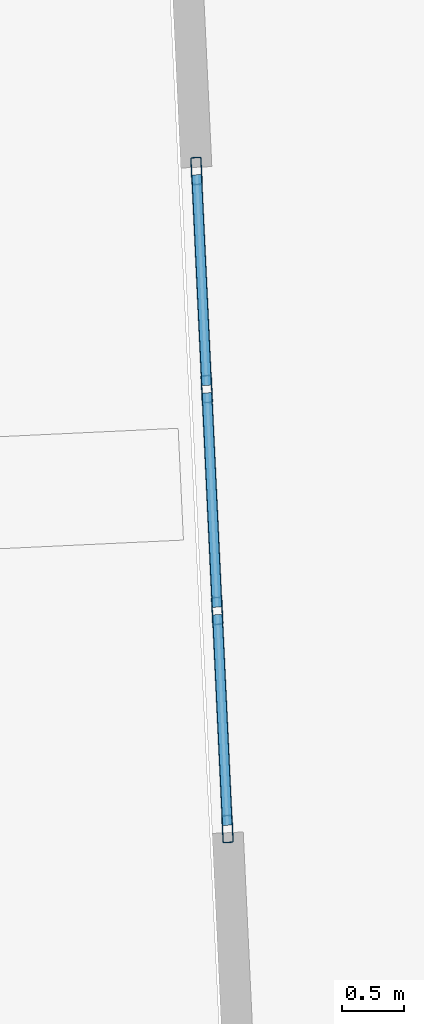
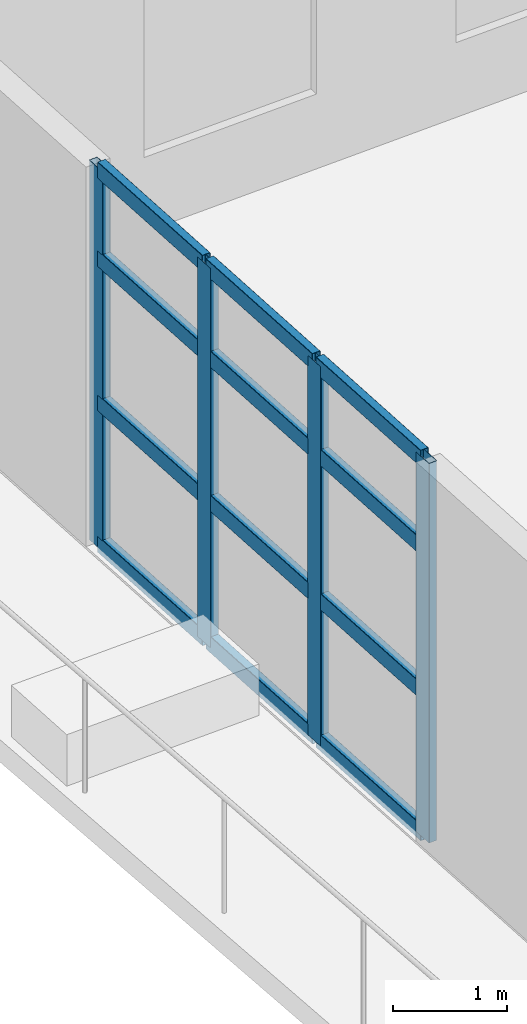
# One storey, part 3 of 22: 16 members, 1 element without a shape of its own.
"""IFC4 building model written with IfcOpenShell, lengths in metres."""

from ifc_helpers import new_model, si_unit, direction, frame, origin, origin_2d, place, context, subcontext, project, spatial, hollow_rectangle, extrude, material, layer, layer_set, material_profile, profile_set, type_object, element, aggregate, save


model = new_model("IFC4")

# Units and contexts
model_context = context("Model", 3, precision=1e-05, world=origin(), true_north=direction((0.0, 1.0)))
body_context = subcontext(model_context, "Body", "Model", "MODEL_VIEW")
ifc_project = project(units=[si_unit("LENGTHUNIT", "METRE"), si_unit("AREAUNIT", "SQUARE_METRE"), si_unit("VOLUMEUNIT", "CUBIC_METRE"), si_unit("PLANEANGLEUNIT", "RADIAN"), si_unit("MASSUNIT", "GRAM", prefix="KILO")], contexts=[model_context])

# Site, building, storey
site_placement = place(None, origin())
site = spatial("IfcSite", under=ifc_project, at=site_placement, CompositionType="ELEMENT")
building_placement = place(site_placement, origin())
building = spatial("IfcBuilding", under=site, at=building_placement, Name="Qingluan Cross Belvedere", CompositionType="ELEMENT")
storey_placement = place(building_placement, frame((0.0, 0.0, 294.0)))
storey = spatial("IfcBuildingStorey", under=building, at=storey_placement, Name="L73", CompositionType="ELEMENT", Elevation=294.0)

# Curtain wall, members
ifc_material_1 = material(Name="Thermally broken aluminium and Low-E glass", Category="aluminium")
ifc_layer = layer(ifc_material_1, 0.179931640625, Name="ObservationCW_DamperGallery")
ifc_layer_set = layer_set([ifc_layer], Name="Thermally broken aluminium and Low-E glass")
curtain_wall_type = type_object("IfcCurtainWallType", Name="ObservationCW_DamperGallery", PredefinedType="USERDEFINED", material=ifc_layer_set)
curtain_wall_placement = place(storey_placement, origin())
curtain_wall = element("IfcCurtainWall", 1, at=curtain_wall_placement, inside=storey, type_object=curtain_wall_type, Name="ObservationCW_DamperGallery run env:cw:L73:W", ObjectType="OBSERVATION GLAZING WALL", PredefinedType="USERDEFINED")
ifc_material_2 = material(Name="Aluminium alloy 6063-T6", Category="aluminium")
ifc_material_profile_1 = material_profile(ifc_material_2, hollow_rectangle(XDim=0.0849609375, YDim=0.219970703125, WallThickness=0.0048828125, InnerFilletRadius=0.0048828125, OuterFilletRadius=0.010009765625, at=origin_2d()), Name="CWM220x85x5")
ifc_profile_set_1 = profile_set([ifc_material_profile_1], Name="Aluminium alloy 6063-T6")
member_type_1 = type_object("IfcMemberType", Name="CWMullion_220", PredefinedType="MULLION", material=ifc_profile_set_1)
member_1_placement = place(storey_placement, frame((-27.674072265625, 1.345947265625, 0.0), z_axis=(0.0, 0.0, 1.0), x_axis=(0.998888992693, 0.047125155464, 0.0)))
member_1 = element("IfcMember", 2, at=member_1_placement, type_object=member_type_1, Name="CW-C1 mullion 1", PredefinedType="MULLION", context=body_context, shape_type="SweptSolid", body=[
    extrude(hollow_rectangle(XDim=0.0849609375, YDim=0.219970703125, WallThickness=0.0048828125, InnerFilletRadius=0.0048828125, OuterFilletRadius=0.010009765625, at=origin_2d()), origin(), (0.0, 0.0, 1.0), 4.06005859375),
])
member_2_placement = place(storey_placement, frame((-27.591552734375, -0.407470703125, 0.0), z_axis=(0.0, 0.0, 1.0), x_axis=(0.998888992693, 0.047125155464, 0.0)))
member_2 = element("IfcMember", 3, at=member_2_placement, type_object=member_type_1, Name="CW-C1 mullion 2", PredefinedType="MULLION", context=body_context, shape_type="SweptSolid", body=[
    extrude(hollow_rectangle(XDim=0.0849609375, YDim=0.219970703125, WallThickness=0.0048828125, InnerFilletRadius=0.0048828125, OuterFilletRadius=0.010009765625, at=origin_2d()), origin(), (0.0, 0.0, 1.0), 4.06005859375),
])
member_3_placement = place(storey_placement, frame((-27.50732421875, -2.19091796875, 0.0), z_axis=(0.0, 0.0, 1.0), x_axis=(0.998888992693, 0.047125155464, 0.0)))
member_3 = element("IfcMember", 4, at=member_3_placement, type_object=member_type_1, Name="CW-C1 mullion 3", PredefinedType="MULLION", context=body_context, shape_type="SweptSolid", body=[
    extrude(hollow_rectangle(XDim=0.0849609375, YDim=0.219970703125, WallThickness=0.0048828125, InnerFilletRadius=0.0048828125, OuterFilletRadius=0.010009765625, at=origin_2d()), origin(), (0.0, 0.0, 1.0), 4.06005859375),
])
member_4_placement = place(storey_placement, frame((-27.424560546875, -3.9443359375, 0.0), z_axis=(0.0, 0.0, 1.0), x_axis=(0.998888992693, 0.047125155464, 0.0)))
member_4 = element("IfcMember", 5, at=member_4_placement, type_object=member_type_1, Name="CW-C1 mullion 4", PredefinedType="MULLION", context=body_context, shape_type="SweptSolid", body=[
    extrude(hollow_rectangle(XDim=0.0849609375, YDim=0.219970703125, WallThickness=0.0048828125, InnerFilletRadius=0.0048828125, OuterFilletRadius=0.010009765625, at=origin_2d()), origin(), (0.0, 0.0, 1.0), 4.06005859375),
])
ifc_material_3 = material(Name="Aluminium alloy 6063-T6", Category="aluminium")
ifc_material_profile_2 = material_profile(ifc_material_3, hollow_rectangle(XDim=0.0849609375, YDim=0.179931640625, WallThickness=0.00390625, InnerFilletRadius=0.00390625, OuterFilletRadius=0.008056640625, at=origin_2d()), Name="CWT180x85x4")
ifc_profile_set_2 = profile_set([ifc_material_profile_2], Name="Aluminium alloy 6063-T6")
member_type_2 = type_object("IfcMemberType", Name="CWTransom_180", PredefinedType="USERDEFINED", material=ifc_profile_set_2)
member_5_placement = place(storey_placement, frame((-27.6728515625, 1.31591796875, 0.030029296875), z_axis=(0.047229921669, -0.998884044571, 0.0), x_axis=(0.998884044571, 0.047229921669, 0.0)))
member_5 = element("IfcMember", 6, at=member_5_placement, type_object=member_type_2, Name="CW-C1 transom 1.1", ObjectType="TRANSOM", PredefinedType="USERDEFINED", context=body_context, shape_type="SweptSolid", body=[
    extrude(hollow_rectangle(XDim=0.0849609375, YDim=0.179931640625, WallThickness=0.00390625, InnerFilletRadius=0.00390625, OuterFilletRadius=0.008056640625, at=origin_2d()), origin(), (0.0, 0.0, 1.0), 1.695556640625),
])
member_6_placement = place(storey_placement, frame((-27.6728515625, 1.31591796875, 1.54296875), z_axis=(0.047229921669, -0.998884044571, 0.0), x_axis=(0.998884044571, 0.047229921669, 0.0)))
member_6 = element("IfcMember", 7, at=member_6_placement, type_object=member_type_2, Name="CW-C1 transom 1.2", ObjectType="TRANSOM", PredefinedType="USERDEFINED", context=body_context, shape_type="SweptSolid", body=[
    extrude(hollow_rectangle(XDim=0.0849609375, YDim=0.179931640625, WallThickness=0.00390625, InnerFilletRadius=0.00390625, OuterFilletRadius=0.008056640625, at=origin_2d()), origin(), (0.0, 0.0, 1.0), 1.695556640625),
])
member_7_placement = place(storey_placement, frame((-27.6728515625, 1.31591796875, 3.0859375), z_axis=(0.047229921669, -0.998884044571, 0.0), x_axis=(0.998884044571, 0.047229921669, 0.0)))
member_7 = element("IfcMember", 8, at=member_7_placement, type_object=member_type_2, Name="CW-C1 transom 1.3", ObjectType="TRANSOM", PredefinedType="USERDEFINED", context=body_context, shape_type="SweptSolid", body=[
    extrude(hollow_rectangle(XDim=0.0849609375, YDim=0.179931640625, WallThickness=0.00390625, InnerFilletRadius=0.00390625, OuterFilletRadius=0.008056640625, at=origin_2d()), origin(), (0.0, 0.0, 1.0), 1.695556640625),
])
member_8_placement = place(storey_placement, frame((-27.6728515625, 1.31591796875, 4.030029296875), z_axis=(0.047229921669, -0.998884044571, 0.0), x_axis=(0.998884044571, 0.047229921669, 0.0)))
member_8 = element("IfcMember", 9, at=member_8_placement, type_object=member_type_2, Name="CW-C1 transom 1.4", ObjectType="TRANSOM", PredefinedType="USERDEFINED", context=body_context, shape_type="SweptSolid", body=[
    extrude(hollow_rectangle(XDim=0.0849609375, YDim=0.179931640625, WallThickness=0.00390625, InnerFilletRadius=0.00390625, OuterFilletRadius=0.008056640625, at=origin_2d()), origin(), (0.0, 0.0, 1.0), 1.695556640625),
])
member_9_placement = place(storey_placement, frame((-27.590087890625, -0.4375, 0.030029296875), z_axis=(0.047121418511, -0.998889168986, 0.0), x_axis=(0.998889168986, 0.047121418511, 0.0)))
member_9 = element("IfcMember", 10, at=member_9_placement, type_object=member_type_2, Name="CW-C1 transom 2.1", ObjectType="TRANSOM", PredefinedType="USERDEFINED", context=body_context, shape_type="SweptSolid", body=[
    extrude(hollow_rectangle(XDim=0.0849609375, YDim=0.179931640625, WallThickness=0.00390625, InnerFilletRadius=0.00390625, OuterFilletRadius=0.008056640625, at=origin_2d()), origin(), (0.0, 0.0, 1.0), 1.725341796875),
])
member_10_placement = place(storey_placement, frame((-27.590087890625, -0.4375, 1.54296875), z_axis=(0.047121418511, -0.998889168986, 0.0), x_axis=(0.998889168986, 0.047121418511, 0.0)))
member_10 = element("IfcMember", 11, at=member_10_placement, type_object=member_type_2, Name="CW-C1 transom 2.2", ObjectType="TRANSOM", PredefinedType="USERDEFINED", context=body_context, shape_type="SweptSolid", body=[
    extrude(hollow_rectangle(XDim=0.0849609375, YDim=0.179931640625, WallThickness=0.00390625, InnerFilletRadius=0.00390625, OuterFilletRadius=0.008056640625, at=origin_2d()), origin(), (0.0, 0.0, 1.0), 1.725341796875),
])
member_11_placement = place(storey_placement, frame((-27.590087890625, -0.4375, 3.0859375), z_axis=(0.047121418511, -0.998889168986, 0.0), x_axis=(0.998889168986, 0.047121418511, 0.0)))
member_11 = element("IfcMember", 12, at=member_11_placement, type_object=member_type_2, Name="CW-C1 transom 2.3", ObjectType="TRANSOM", PredefinedType="USERDEFINED", context=body_context, shape_type="SweptSolid", body=[
    extrude(hollow_rectangle(XDim=0.0849609375, YDim=0.179931640625, WallThickness=0.00390625, InnerFilletRadius=0.00390625, OuterFilletRadius=0.008056640625, at=origin_2d()), origin(), (0.0, 0.0, 1.0), 1.725341796875),
])
member_12_placement = place(storey_placement, frame((-27.590087890625, -0.4375, 4.030029296875), z_axis=(0.047121418511, -0.998889168986, 0.0), x_axis=(0.998889168986, 0.047121418511, 0.0)))
member_12 = element("IfcMember", 13, at=member_12_placement, type_object=member_type_2, Name="CW-C1 transom 2.4", ObjectType="TRANSOM", PredefinedType="USERDEFINED", context=body_context, shape_type="SweptSolid", body=[
    extrude(hollow_rectangle(XDim=0.0849609375, YDim=0.179931640625, WallThickness=0.00390625, InnerFilletRadius=0.00390625, OuterFilletRadius=0.008056640625, at=origin_2d()), origin(), (0.0, 0.0, 1.0), 1.725341796875),
])
member_13_placement = place(storey_placement, frame((-27.505859375, -2.220947265625, 0.030029296875), z_axis=(0.047093021363, -0.998890508183, 0.0), x_axis=(0.998890508183, 0.047093021363, 0.0)))
member_13 = element("IfcMember", 14, at=member_13_placement, type_object=member_type_2, Name="CW-C1 transom 3.1", ObjectType="TRANSOM", PredefinedType="USERDEFINED", context=body_context, shape_type="SweptSolid", body=[
    extrude(hollow_rectangle(XDim=0.0849609375, YDim=0.179931640625, WallThickness=0.00390625, InnerFilletRadius=0.00390625, OuterFilletRadius=0.008056640625, at=origin_2d()), origin(), (0.0, 0.0, 1.0), 1.6953125),
])
member_14_placement = place(storey_placement, frame((-27.505859375, -2.220947265625, 1.54296875), z_axis=(0.047093021363, -0.998890508183, 0.0), x_axis=(0.998890508183, 0.047093021363, 0.0)))
member_14 = element("IfcMember", 15, at=member_14_placement, type_object=member_type_2, Name="CW-C1 transom 3.2", ObjectType="TRANSOM", PredefinedType="USERDEFINED", context=body_context, shape_type="SweptSolid", body=[
    extrude(hollow_rectangle(XDim=0.0849609375, YDim=0.179931640625, WallThickness=0.00390625, InnerFilletRadius=0.00390625, OuterFilletRadius=0.008056640625, at=origin_2d()), origin(), (0.0, 0.0, 1.0), 1.6953125),
])
member_15_placement = place(storey_placement, frame((-27.505859375, -2.220947265625, 3.0859375), z_axis=(0.047093021363, -0.998890508183, 0.0), x_axis=(0.998890508183, 0.047093021363, 0.0)))
member_15 = element("IfcMember", 16, at=member_15_placement, type_object=member_type_2, Name="CW-C1 transom 3.3", ObjectType="TRANSOM", PredefinedType="USERDEFINED", context=body_context, shape_type="SweptSolid", body=[
    extrude(hollow_rectangle(XDim=0.0849609375, YDim=0.179931640625, WallThickness=0.00390625, InnerFilletRadius=0.00390625, OuterFilletRadius=0.008056640625, at=origin_2d()), origin(), (0.0, 0.0, 1.0), 1.6953125),
])
member_16_placement = place(storey_placement, frame((-27.505859375, -2.220947265625, 4.030029296875), z_axis=(0.047093021363, -0.998890508183, 0.0), x_axis=(0.998890508183, 0.047093021363, 0.0)))
member_16 = element("IfcMember", 17, at=member_16_placement, type_object=member_type_2, Name="CW-C1 transom 3.4", ObjectType="TRANSOM", PredefinedType="USERDEFINED", context=body_context, shape_type="SweptSolid", body=[
    extrude(hollow_rectangle(XDim=0.0849609375, YDim=0.179931640625, WallThickness=0.00390625, InnerFilletRadius=0.00390625, OuterFilletRadius=0.008056640625, at=origin_2d()), origin(), (0.0, 0.0, 1.0), 1.6953125),
])
aggregate(curtain_wall, [member_1, member_2, member_3, member_4, member_5, member_6, member_7, member_8, member_9, member_10, member_11, member_12, member_13, member_14, member_15, member_16])

save(model, "model.ifc")
